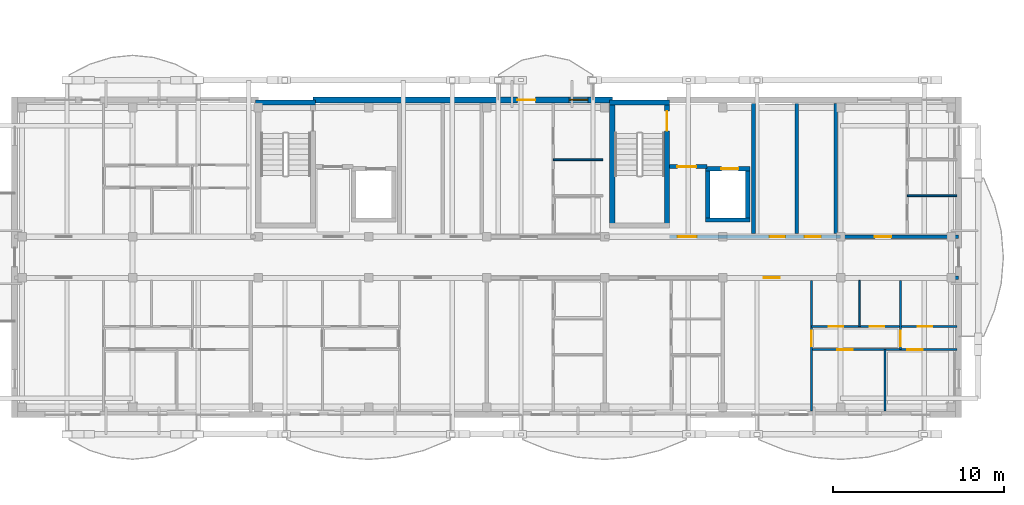
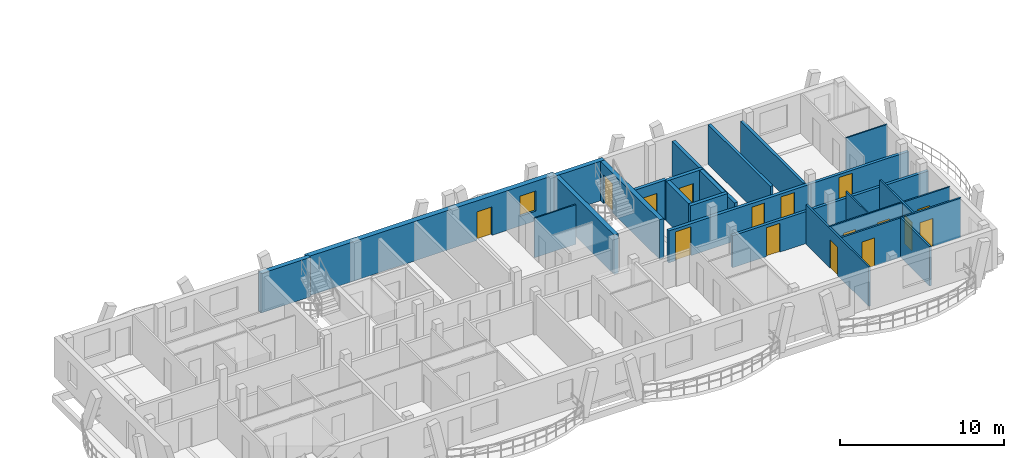
# One storey, part 32 of 50: 24 walls, 16 doors, 1 window, 17 openings.
"""IFC4 building model written with IfcOpenShell, lengths in metres."""

from ifc_helpers import new_model, si_unit, direction, frame, frame_2d, origin, origin_with_axes, place, context, subcontext, project, spatial, rectangle, extrude, material, layer, layer_set, type_object, element, fill, save


model = new_model("IFC4")

# Units and contexts
model_context = context("Model", 3, precision=1e-05, world=origin(), true_north=direction((0.0, 1.0)))
body_context = subcontext(model_context, "Body", "Model", "MODEL_VIEW")
ifc_project = project(units=[si_unit("LENGTHUNIT", "METRE"), si_unit("AREAUNIT", "SQUARE_METRE"), si_unit("VOLUMEUNIT", "CUBIC_METRE"), si_unit("PLANEANGLEUNIT", "RADIAN"), si_unit("MASSUNIT", "GRAM", prefix="KILO")], contexts=[model_context])

# Site, building, storey
site_placement = place(None, origin())
site = spatial("IfcSite", under=ifc_project, at=site_placement, CompositionType="ELEMENT")
building_placement = place(site_placement, origin())
building = spatial("IfcBuilding", under=site, at=building_placement, Name="Zavelmont Quarter", CompositionType="ELEMENT")
storey_placement = place(building_placement, frame((0.0, 0.0, 11.199951171875)))
storey = spatial("IfcBuildingStorey", under=building, at=storey_placement, Name="L03", CompositionType="ELEMENT", Elevation=11.199951171875)

# Wall, openings, door, window
ifc_material_1 = material(Name="Natural Belgian limestone", Category="masonry")
ifc_layer_1 = layer(ifc_material_1, 0.360107421875)
ifc_layer_set_1 = layer_set([ifc_layer_1], Name="Natural Belgian limestone")
wall_type_1 = type_object("IfcWallType", Name="EW02", PredefinedType="STANDARD", material=ifc_layer_set_1)
wall_1_placement = place(storey_placement, frame((130.25, 18.39990234375, 0.0), z_axis=(0.0, 0.0, 1.0), x_axis=(1.0, 0.0, 0.0)))
wall_1 = element("IfcWall", 1, at=wall_1_placement, inside=storey, type_object=wall_type_1, Name="L03 exterior limestone wall EW02", PredefinedType="STANDARD", context=body_context, shape_type="SweptSolid", body=[
    extrude(rectangle(XDim=17.5, YDim=0.360107421875, at=frame_2d((8.75, 0.0))), origin(), (0.0, 0.0, 1.0), 2.93994140625),
])
opening_1_placement = place(wall_1_placement, frame((11.94921875, 0.0, 0.0)))
opening_1 = element("IfcOpeningElement", 2, at=opening_1_placement, cuts=wall_1, Name="Opening DR04A", PredefinedType="OPENING", context=body_context, shape_type="SweptSolid", body=[
    extrude(rectangle(XDim=1.050048828125, YDim=2.1201171875, at=frame_2d((0.52490234375, 1.06005859375))), frame((0.0, 0.19189453125, 0.0), z_axis=(0.0, -1.0, 0.0), x_axis=(1.0, 0.0, 0.0)), (0.0, 0.0, 1.0), 0.384033203125),
])
opening_2_placement = place(wall_1_placement, frame((14.969970703125, 0.0, 0.719970703125)))
opening_2 = element("IfcOpeningElement", 3, at=opening_2_placement, cuts=wall_1, Name="Opening WN09", PredefinedType="OPENING", context=body_context, shape_type="SweptSolid", body=[
    extrude(rectangle(XDim=1.10009765625, YDim=1.5, at=frame_2d((0.550048828125, 0.75))), frame((0.0, 0.19189453125, 0.0), z_axis=(0.0, -1.0, 0.0), x_axis=(1.0, 0.0, 0.0)), (0.0, 0.0, 1.0), 0.384033203125),
])
ifc_material_2 = material(Name="Thermally broken aluminium and double safety glass", Category="aluminium")
door_type_1 = type_object("IfcDoorType", Name="DR04A", OperationType="NOTDEFINED", PredefinedType="DOOR", material=ifc_material_2)
door_1_placement = place(opening_1_placement, frame((1.050048828125, 0.0, 0.0), z_axis=(0.0, 0.0, 1.0), x_axis=(-1.0, 0.0, 0.0)))
door_1 = element("IfcDoor", 4, at=door_1_placement, inside=storey, type_object=door_type_1, Name="Block D L03 glazed balcony door", OperationType="SINGLE_SWING_LEFT", OverallHeight=2.1201171875, OverallWidth=1.050048828125, PredefinedType="DOOR", context=body_context, shape_type="SweptSolid", body=[
    extrude(rectangle(XDim=1.050048828125, YDim=2.1201171875, at=frame_2d((0.52490234375, 1.06005859375))), frame((0.0, 0.02490234375, 0.0), z_axis=(0.0, -1.0, 0.0), x_axis=(1.0, 0.0, 0.0)), (0.0, 0.0, 1.0), 0.050048828125),
])
fill(opening_1, door_1)
ifc_material_3 = material(Name="Double low-E insulated glazing in thermally broken aluminium frame", Category="aluminium")
window_type = type_object("IfcWindowType", Name="WN09", PartitioningType="SINGLE_PANEL", PredefinedType="WINDOW", material=ifc_material_3)
window_placement = place(opening_2_placement, origin_with_axes())
window = element("IfcWindow", 5, at=window_placement, inside=storey, type_object=window_type, Name="L03 window WN09", OverallHeight=1.5, OverallWidth=1.10009765625, PartitioningType="SINGLE_PANEL", PredefinedType="WINDOW", context=body_context, shape_type="SweptSolid", body=[
    extrude(rectangle(XDim=1.10009765625, YDim=1.5, at=frame_2d((0.550048828125, 0.75))), frame((0.0, 0.030029296875, 0.0), z_axis=(0.0, -1.0, 0.0), x_axis=(1.0, 0.0, 0.0)), (0.0, 0.0, 1.0), 0.06005859375),
])
fill(opening_2, window)

# Walls
ifc_material_4 = material(Name="Calcium-silicate blockwork and acoustic plaster", Category="masonry")
ifc_layer_2 = layer(ifc_material_4, 0.199951171875)
ifc_layer_set_2 = layer_set([ifc_layer_2], Name="Calcium-silicate blockwork and acoustic plaster")
wall_type_2 = type_object("IfcWallType", Name="IW01", PredefinedType="PARTITIONING", material=ifc_layer_set_2)
wall_2_placement = place(storey_placement, frame((158.52490234375, 10.60009765625, 0.0), z_axis=(0.0, 0.0, 1.0), x_axis=(0.0, 1.0, 0.0)))
element("IfcWall", 6, at=wall_2_placement, inside=storey, type_object=wall_type_2, Name="L03 Service riser divider wall IW01", PredefinedType="PARTITIONING", context=body_context, shape_type="SweptSolid", body=[
    extrude(rectangle(XDim=7.599853515625, YDim=0.199951171875, at=frame_2d((3.7998046875, 0.0))), origin(), (0.0, 0.0, 1.0), 2.93994140625),
])
wall_3_placement = place(storey_placement, frame((160.820068359375, 10.60009765625, 0.0), z_axis=(0.0, 0.0, 1.0), x_axis=(0.0, 1.0, 0.0)))
element("IfcWall", 7, at=wall_3_placement, inside=storey, type_object=wall_type_2, Name="L03 Core service end wall IW01", PredefinedType="PARTITIONING", context=body_context, shape_type="SweptSolid", body=[
    extrude(rectangle(XDim=7.599853515625, YDim=0.199951171875, at=frame_2d((3.7998046875, 0.0))), origin(), (0.0, 0.0, 1.0), 2.380126953125),
])

# Wall, opening, door
wall_4_placement = place(storey_placement, frame((154.199951171875, 8.0, 0.0), z_axis=(0.0, 0.0, 1.0), x_axis=(1.0, 0.0, 0.0)))
wall_4 = element("IfcWall", 8, at=wall_4_placement, inside=storey, type_object=wall_type_2, Name="L03 Corridor compartment wall IW01", PredefinedType="PARTITIONING", context=body_context, shape_type="SweptSolid", body=[
    extrude(rectangle(XDim=13.800048828125, YDim=0.199951171875, at=frame_2d((6.89990234375, 0.0))), origin(), (0.0, 0.0, 1.0), 2.380126953125),
])
opening_3_placement = place(wall_4_placement, frame((2.39990234375, 0.0, 0.0)))
opening_3 = element("IfcOpeningElement", 9, at=opening_3_placement, cuts=wall_4, Name="Opening DR02", PredefinedType="OPENING", context=body_context, shape_type="SweptSolid", body=[
    extrude(rectangle(XDim=0.949951171875, YDim=2.14990234375, at=frame_2d((0.47509765625, 1.074951171875))), frame((0.0, 0.11181640625, 0.0), z_axis=(0.0, -1.0, 0.0), x_axis=(1.0, 0.0, 0.0)), (0.0, 0.0, 1.0), 0.223876953125),
])
ifc_material_5 = material(Name="Solid-core oak fire leaf in steel frame", Category="steel")
door_type_2 = type_object("IfcDoorType", Name="DR02", OperationType="NOTDEFINED", PredefinedType="DOOR", material=ifc_material_5)
door_2_placement = place(opening_3_placement, frame((0.949951171875, 0.0, 0.0), z_axis=(0.0, 0.0, 1.0), x_axis=(-1.0, 0.0, 0.0)))
door_2 = element("IfcDoor", 10, at=door_2_placement, inside=storey, type_object=door_type_2, Name="L03 door DR02", OperationType="SINGLE_SWING_RIGHT", OverallHeight=2.14990234375, OverallWidth=0.949951171875, PredefinedType="DOOR", context=body_context, shape_type="SweptSolid", body=[
    extrude(rectangle(XDim=0.949951171875, YDim=2.14990234375, at=frame_2d((0.47509765625, 1.074951171875))), frame((0.0, 0.02490234375, 0.0), z_axis=(0.0, -1.0, 0.0), x_axis=(1.0, 0.0, 0.0)), (0.0, 0.0, 1.0), 0.050048828125),
])
fill(opening_3, door_2)

wall_5_placement = place(storey_placement, frame((161.10009765625, 10.39990234375, 0.0), z_axis=(0.0, 0.0, 1.0), x_axis=(1.0, 0.0, 0.0)))
wall_5 = element("IfcWall", 11, at=wall_5_placement, inside=storey, type_object=wall_type_2, Name="L03 Corridor compartment wall IW01", PredefinedType="PARTITIONING", context=body_context, shape_type="SweptSolid", body=[
    extrude(rectangle(XDim=6.89990234375, YDim=0.199951171875, at=frame_2d((3.449951171875, 0.0))), origin(), (0.0, 0.0, 1.0), 2.380126953125),
])
opening_4_placement = place(wall_5_placement, frame((2.0, 0.0, 0.0)))
opening_4 = element("IfcOpeningElement", 12, at=opening_4_placement, cuts=wall_5, Name="Opening DR02", PredefinedType="OPENING", context=body_context, shape_type="SweptSolid", body=[
    extrude(rectangle(XDim=0.949951171875, YDim=2.14990234375, at=frame_2d((0.47509765625, 1.074951171875))), frame((0.0, 0.11181640625, 0.0), z_axis=(0.0, -1.0, 0.0), x_axis=(1.0, 0.0, 0.0)), (0.0, 0.0, 1.0), 0.223876953125),
])
door_3_placement = place(opening_4_placement, origin_with_axes())
door_3 = element("IfcDoor", 13, at=door_3_placement, inside=storey, type_object=door_type_2, Name="L03 door DR02", OperationType="SINGLE_SWING_RIGHT", OverallHeight=2.14990234375, OverallWidth=0.949951171875, PredefinedType="DOOR", context=body_context, shape_type="SweptSolid", body=[
    extrude(rectangle(XDim=0.949951171875, YDim=2.14990234375, at=frame_2d((0.47509765625, 1.074951171875))), frame((0.0, 0.02490234375, 0.0), z_axis=(0.0, -1.0, 0.0), x_axis=(1.0, 0.0, 0.0)), (0.0, 0.0, 1.0), 0.050048828125),
])
fill(opening_4, door_3)

# Wall
ifc_material_6 = material(Name="Reinforced masonry fire compartment wall", Category="masonry")
ifc_layer_3 = layer(ifc_material_6, 0.22509765625)
ifc_layer_set_3 = layer_set([ifc_layer_3], Name="Reinforced masonry fire compartment wall")
wall_type_3 = type_object("IfcWallType", Name="IW02", PredefinedType="PARTITIONING", material=ifc_layer_set_3)
wall_6_placement = place(storey_placement, frame((156.010009765625, 10.60009765625, 0.0), z_axis=(0.0, 0.0, 1.0), x_axis=(0.0, 1.0, 0.0)))
element("IfcWall", 14, at=wall_6_placement, inside=storey, type_object=wall_type_3, Name="L03 Firefighting lobby enclosure wall IW02", PredefinedType="PARTITIONING", context=body_context, shape_type="SweptSolid", body=[
    extrude(rectangle(XDim=7.599853515625, YDim=0.22509765625, at=frame_2d((3.7998046875, 0.0))), origin(), (0.0, 0.0, 1.0), 2.590087890625),
])

# Wall, opening, door
wall_7_placement = place(storey_placement, frame((151.10009765625, 14.5, 0.0), z_axis=(0.0, 0.0, 1.0), x_axis=(1.0, 0.0, 0.0)))
wall_7 = element("IfcWall", 15, at=wall_7_placement, inside=storey, type_object=wall_type_3, Name="L03 Firefighting lobby threshold wall IW02", PredefinedType="PARTITIONING", context=body_context, shape_type="SweptSolid", body=[
    extrude(rectangle(XDim=2.199951171875, YDim=0.22509765625, at=frame_2d((1.10009765625, 0.0))), origin(), (0.0, 0.0, 1.0), 2.93994140625),
])
opening_5_placement = place(wall_7_placement, frame((0.449951171875, 0.0, 0.0)))
opening_5 = element("IfcOpeningElement", 16, at=opening_5_placement, cuts=wall_7, Name="Opening DR10", PredefinedType="OPENING", context=body_context, shape_type="SweptSolid", body=[
    extrude(rectangle(XDim=1.10009765625, YDim=2.14990234375, at=frame_2d((0.550048828125, 1.074951171875))), frame((0.0, 0.12451171875, 0.0), z_axis=(0.0, -1.0, 0.0), x_axis=(1.0, 0.0, 0.0)), (0.0, 0.0, 1.0), 0.2490234375),
])
ifc_material_7 = material(Name="Painted steel lobby fire door", Category="steel")
door_type_3 = type_object("IfcDoorType", Name="DR10", OperationType="NOTDEFINED", PredefinedType="DOOR", material=ifc_material_7)
door_4_placement = place(opening_5_placement, origin_with_axes())
door_4 = element("IfcDoor", 17, at=door_4_placement, inside=storey, type_object=door_type_3, Name="Firefighting lobby fire door", OperationType="SINGLE_SWING_RIGHT", OverallHeight=2.14990234375, OverallWidth=1.10009765625, PredefinedType="DOOR", context=body_context, shape_type="SweptSolid", body=[
    extrude(rectangle(XDim=1.10009765625, YDim=2.14990234375, at=frame_2d((0.550048828125, 1.074951171875))), frame((0.0, 0.02490234375, 0.0), z_axis=(0.0, -1.0, 0.0), x_axis=(1.0, 0.0, 0.0)), (0.0, 0.0, 1.0), 0.050048828125),
])
fill(opening_5, door_4)

# Wall, openings, doors
wall_8_placement = place(storey_placement, frame((151.10009765625, 10.39990234375, 0.0), z_axis=(0.0, 0.0, 1.0), x_axis=(1.0, 0.0, 0.0)))
wall_8 = element("IfcWall", 18, at=wall_8_placement, inside=storey, type_object=wall_type_3, Name="L03 Core corridor fire wall IW02", PredefinedType="PARTITIONING", context=body_context, shape_type="SweptSolid", body=[
    extrude(rectangle(XDim=10.0, YDim=0.22509765625, at=frame_2d((5.0, 0.0))), origin(), (0.0, 0.0, 1.0), 2.380126953125),
])
opening_6_placement = place(wall_8_placement, frame((0.47509765625, 0.0, 0.0)))
opening_6 = element("IfcOpeningElement", 19, at=opening_6_placement, cuts=wall_8, Name="Opening DR10", PredefinedType="OPENING", context=body_context, shape_type="SweptSolid", body=[
    extrude(rectangle(XDim=1.10009765625, YDim=2.14990234375, at=frame_2d((0.550048828125, 1.074951171875))), frame((0.0, 0.12451171875, 0.0), z_axis=(0.0, -1.0, 0.0), x_axis=(1.0, 0.0, 0.0)), (0.0, 0.0, 1.0), 0.2490234375),
])
opening_7_placement = place(wall_8_placement, frame((5.85009765625, 0.0, 0.0)))
opening_7 = element("IfcOpeningElement", 20, at=opening_7_placement, cuts=wall_8, Name="Opening DR11", PredefinedType="OPENING", context=body_context, shape_type="SweptSolid", body=[
    extrude(rectangle(XDim=0.89990234375, YDim=2.10009765625, at=frame_2d((0.449951171875, 1.050048828125))), frame((0.0, 0.12451171875, 0.0), z_axis=(0.0, -1.0, 0.0), x_axis=(1.0, 0.0, 0.0)), (0.0, 0.0, 1.0), 0.2490234375),
])
opening_8_placement = place(wall_8_placement, frame((7.89990234375, 0.0, 0.0)))
opening_8 = element("IfcOpeningElement", 21, at=opening_8_placement, cuts=wall_8, Name="Opening DR02", PredefinedType="OPENING", context=body_context, shape_type="SweptSolid", body=[
    extrude(rectangle(XDim=0.949951171875, YDim=2.14990234375, at=frame_2d((0.47509765625, 1.074951171875))), frame((0.0, 0.12451171875, 0.0), z_axis=(0.0, -1.0, 0.0), x_axis=(1.0, 0.0, 0.0)), (0.0, 0.0, 1.0), 0.2490234375),
])
door_5_placement = place(opening_8_placement, frame((0.949951171875, 0.0, 0.0), z_axis=(0.0, 0.0, 1.0), x_axis=(-1.0, 0.0, 0.0)))
door_5 = element("IfcDoor", 22, at=door_5_placement, inside=storey, type_object=door_type_2, Name="Auxiliary store corridor door", OperationType="SINGLE_SWING_RIGHT", OverallHeight=2.14990234375, OverallWidth=0.949951171875, PredefinedType="DOOR", context=body_context, shape_type="SweptSolid", body=[
    extrude(rectangle(XDim=0.949951171875, YDim=2.14990234375, at=frame_2d((0.47509765625, 1.074951171875))), frame((0.0, 0.02490234375, 0.0), z_axis=(0.0, -1.0, 0.0), x_axis=(1.0, 0.0, 0.0)), (0.0, 0.0, 1.0), 0.050048828125),
])
fill(opening_8, door_5)
door_6_placement = place(opening_6_placement, origin_with_axes())
door_6 = element("IfcDoor", 23, at=door_6_placement, inside=storey, type_object=door_type_3, Name="Core vestibule fire door", OperationType="SINGLE_SWING_LEFT", OverallHeight=2.14990234375, OverallWidth=1.10009765625, PredefinedType="DOOR", context=body_context, shape_type="SweptSolid", body=[
    extrude(rectangle(XDim=1.10009765625, YDim=2.14990234375, at=frame_2d((0.550048828125, 1.074951171875))), frame((0.0, 0.02490234375, 0.0), z_axis=(0.0, -1.0, 0.0), x_axis=(1.0, 0.0, 0.0)), (0.0, 0.0, 1.0), 0.050048828125),
])
fill(opening_6, door_6)
ifc_material_8 = material(Name="Painted steel service-riser fire door", Category="steel")
door_type_4 = type_object("IfcDoorType", Name="DR11", OperationType="NOTDEFINED", PredefinedType="DOOR", material=ifc_material_8)
door_7_placement = place(opening_7_placement, frame((0.89990234375, 0.0, 0.0), z_axis=(0.0, 0.0, 1.0), x_axis=(-1.0, 0.0, 0.0)))
door_7 = element("IfcDoor", 24, at=door_7_placement, inside=storey, type_object=door_type_4, Name="Service riser fire door", OperationType="SINGLE_SWING_LEFT", OverallHeight=2.10009765625, OverallWidth=0.89990234375, PredefinedType="DOOR", context=body_context, shape_type="SweptSolid", body=[
    extrude(rectangle(XDim=0.89990234375, YDim=2.10009765625, at=frame_2d((0.449951171875, 1.050048828125))), frame((0.0, 0.02490234375, 0.0), z_axis=(0.0, -1.0, 0.0), x_axis=(1.0, 0.0, 0.0)), (0.0, 0.0, 1.0), 0.050048828125),
])
fill(opening_7, door_7)

# Wall, opening, door
ifc_material_9 = material(Name="Double gypsum board on acoustic steel stud", Category="steel")
ifc_layer_4 = layer(ifc_material_9, 0.125)
ifc_layer_set_4 = layer_set([ifc_layer_4], Name="Double gypsum board on acoustic steel stud")
wall_type_4 = type_object("IfcWallType", Name="IW03", PredefinedType="PARTITIONING", material=ifc_layer_set_4)
wall_9_placement = place(storey_placement, frame((159.39990234375, 7.85009765625, 0.0), z_axis=(0.0, 0.0, 1.0), x_axis=(0.0, -1.0, 0.0)))
wall_9 = element("IfcWall", 25, at=wall_9_placement, inside=storey, type_object=wall_type_4, Name="L03 Partition IW03", PredefinedType="PARTITIONING", context=body_context, shape_type="SweptSolid", body=[
    extrude(rectangle(XDim=7.650146484375, YDim=0.125, at=frame_2d((3.8251953125, 0.0))), origin(), (0.0, 0.0, 1.0), 2.93994140625),
])
opening_9_placement = place(wall_9_placement, frame((2.949951171875, 0.0, 0.0)))
opening_9 = element("IfcOpeningElement", 26, at=opening_9_placement, cuts=wall_9, Name="Opening DR05", PredefinedType="OPENING", context=body_context, shape_type="SweptSolid", body=[
    extrude(rectangle(XDim=0.89990234375, YDim=2.10009765625, at=frame_2d((0.449951171875, 1.050048828125))), frame((0.0, 0.074462890625, 0.0), z_axis=(0.0, -1.0, 0.0), x_axis=(1.0, 0.0, 0.0)), (0.0, 0.0, 1.0), 0.14892578125),
])
ifc_material_10 = material(Name="Engineered oak flush interior door")
door_type_5 = type_object("IfcDoorType", Name="DR05", OperationType="NOTDEFINED", PredefinedType="DOOR", material=ifc_material_10)
door_8_placement = place(opening_9_placement, origin_with_axes())
door_8 = element("IfcDoor", 27, at=door_8_placement, inside=storey, type_object=door_type_5, Name="L03 door DR05", OperationType="SINGLE_SWING_RIGHT", OverallHeight=2.10009765625, OverallWidth=0.89990234375, PredefinedType="DOOR", context=body_context, shape_type="SweptSolid", body=[
    extrude(rectangle(XDim=0.89990234375, YDim=2.10009765625, at=frame_2d((0.449951171875, 1.050048828125))), frame((0.0, 0.02490234375, 0.0), z_axis=(0.0, -1.0, 0.0), x_axis=(1.0, 0.0, 0.0)), (0.0, 0.0, 1.0), 0.050048828125),
])
fill(opening_9, door_8)

wall_10_placement = place(storey_placement, frame((164.60009765625, 7.85009765625, 0.0), z_axis=(0.0, 0.0, 1.0), x_axis=(0.0, -1.0, 0.0)))
wall_10 = element("IfcWall", 28, at=wall_10_placement, inside=storey, type_object=wall_type_4, Name="L03 Partition IW03", PredefinedType="PARTITIONING", context=body_context, shape_type="SweptSolid", body=[
    extrude(rectangle(XDim=4.050048828125, YDim=0.125, at=frame_2d((2.02490234375, 0.0))), origin(), (0.0, 0.0, 1.0), 2.93994140625),
])
opening_10_placement = place(wall_10_placement, frame((2.949951171875, 0.0, 0.0)))
opening_10 = element("IfcOpeningElement", 29, at=opening_10_placement, cuts=wall_10, Name="Opening DR05", PredefinedType="OPENING", context=body_context, shape_type="SweptSolid", body=[
    extrude(rectangle(XDim=0.89990234375, YDim=2.10009765625, at=frame_2d((0.449951171875, 1.050048828125))), frame((0.0, 0.074462890625, 0.0), z_axis=(0.0, -1.0, 0.0), x_axis=(1.0, 0.0, 0.0)), (0.0, 0.0, 1.0), 0.14892578125),
])
door_9_placement = place(opening_10_placement, frame((0.89990234375, 0.0, 0.0), z_axis=(0.0, 0.0, 1.0), x_axis=(-1.0, 0.0, 0.0)))
door_9 = element("IfcDoor", 30, at=door_9_placement, inside=storey, type_object=door_type_5, Name="L03 door DR05", OperationType="SINGLE_SWING_LEFT", OverallHeight=2.10009765625, OverallWidth=0.89990234375, PredefinedType="DOOR", context=body_context, shape_type="SweptSolid", body=[
    extrude(rectangle(XDim=0.89990234375, YDim=2.10009765625, at=frame_2d((0.449951171875, 1.050048828125))), frame((0.0, 0.02490234375, 0.0), z_axis=(0.0, -1.0, 0.0), x_axis=(1.0, 0.0, 0.0)), (0.0, 0.0, 1.0), 0.050048828125),
])
fill(opening_10, door_9)

# Wall
wall_11_placement = place(storey_placement, frame((163.699951171875, 3.800048828125, 0.0), z_axis=(0.0, 0.0, 1.0), x_axis=(0.0, -1.0, 0.0)))
element("IfcWall", 31, at=wall_11_placement, inside=storey, type_object=wall_type_4, Name="L03 Partition IW03", PredefinedType="PARTITIONING", context=body_context, shape_type="SweptSolid", body=[
    extrude(rectangle(XDim=3.60009765625, YDim=0.125, at=frame_2d((1.800048828125, 0.0))), origin(), (0.0, 0.0, 1.0), 2.93994140625),
])

# Wall, openings, doors
wall_12_placement = place(storey_placement, frame((159.39990234375, 3.800048828125, 0.0), z_axis=(0.0, 0.0, 1.0), x_axis=(1.0, 0.0, 0.0)))
wall_12 = element("IfcWall", 32, at=wall_12_placement, inside=storey, type_object=wall_type_4, Name="L03 Partition IW03", PredefinedType="PARTITIONING", context=body_context, shape_type="SweptSolid", body=[
    extrude(rectangle(XDim=8.5, YDim=0.125, at=frame_2d((4.25, 0.0))), origin(), (0.0, 0.0, 1.0), 2.93994140625),
])
opening_11_placement = place(wall_12_placement, frame((1.5, 0.0, 0.0)))
opening_11 = element("IfcOpeningElement", 33, at=opening_11_placement, cuts=wall_12, Name="Opening DR05", PredefinedType="OPENING", context=body_context, shape_type="SweptSolid", body=[
    extrude(rectangle(XDim=0.89990234375, YDim=2.10009765625, at=frame_2d((0.449951171875, 1.050048828125))), frame((0.0, 0.074462890625, 0.0), z_axis=(0.0, -1.0, 0.0), x_axis=(1.0, 0.0, 0.0)), (0.0, 0.0, 1.0), 0.14892578125),
])
opening_12_placement = place(wall_12_placement, frame((5.60009765625, 0.0, 0.0)))
opening_12 = element("IfcOpeningElement", 34, at=opening_12_placement, cuts=wall_12, Name="Opening DR05", PredefinedType="OPENING", context=body_context, shape_type="SweptSolid", body=[
    extrude(rectangle(XDim=0.89990234375, YDim=2.10009765625, at=frame_2d((0.449951171875, 1.050048828125))), frame((0.0, 0.074462890625, 0.0), z_axis=(0.0, -1.0, 0.0), x_axis=(1.0, 0.0, 0.0)), (0.0, 0.0, 1.0), 0.14892578125),
])
door_10_placement = place(opening_11_placement, frame((0.89990234375, 0.0, 0.0), z_axis=(0.0, 0.0, 1.0), x_axis=(-1.0, 0.0, 0.0)))
door_10 = element("IfcDoor", 35, at=door_10_placement, inside=storey, type_object=door_type_5, Name="L03 door DR05", OperationType="SINGLE_SWING_LEFT", OverallHeight=2.10009765625, OverallWidth=0.89990234375, PredefinedType="DOOR", context=body_context, shape_type="SweptSolid", body=[
    extrude(rectangle(XDim=0.89990234375, YDim=2.10009765625, at=frame_2d((0.449951171875, 1.050048828125))), frame((0.0, 0.02490234375, 0.0), z_axis=(0.0, -1.0, 0.0), x_axis=(1.0, 0.0, 0.0)), (0.0, 0.0, 1.0), 0.050048828125),
])
fill(opening_11, door_10)
door_11_placement = place(opening_12_placement, origin_with_axes())
door_11 = element("IfcDoor", 36, at=door_11_placement, inside=storey, type_object=door_type_5, Name="L03 door DR05", OperationType="SINGLE_SWING_RIGHT", OverallHeight=2.10009765625, OverallWidth=0.89990234375, PredefinedType="DOOR", context=body_context, shape_type="SweptSolid", body=[
    extrude(rectangle(XDim=0.89990234375, YDim=2.10009765625, at=frame_2d((0.449951171875, 1.050048828125))), frame((0.0, 0.02490234375, 0.0), z_axis=(0.0, -1.0, 0.0), x_axis=(1.0, 0.0, 0.0)), (0.0, 0.0, 1.0), 0.050048828125),
])
fill(opening_12, door_11)

# Wall
ifc_material_11 = material(Name="Moisture-resistant gypsum board on steel stud", Category="steel")
ifc_layer_5 = layer(ifc_material_11, 0.10009765625)
ifc_layer_set_5 = layer_set([ifc_layer_5], Name="Moisture-resistant gypsum board on steel stud")
wall_type_5 = type_object("IfcWallType", Name="IW04", PredefinedType="PARTITIONING", material=ifc_layer_set_5)
wall_13_placement = place(storey_placement, frame((162.199951171875, 7.85009765625, 0.0), z_axis=(0.0, 0.0, 1.0), x_axis=(0.0, -1.0, 0.0)))
element("IfcWall", 37, at=wall_13_placement, inside=storey, type_object=wall_type_5, Name="L03 Partition IW04", PredefinedType="PARTITIONING", context=body_context, shape_type="SweptSolid", body=[
    extrude(rectangle(XDim=2.7001953125, YDim=0.10009765625, at=frame_2d((1.35009765625, 0.0))), origin(), (0.0, 0.0, 1.0), 2.93994140625),
])

# Wall, openings, doors
wall_14_placement = place(storey_placement, frame((159.39990234375, 5.14990234375, 0.0), z_axis=(0.0, 0.0, 1.0), x_axis=(1.0, 0.0, 0.0)))
wall_14 = element("IfcWall", 38, at=wall_14_placement, inside=storey, type_object=wall_type_5, Name="L03 Partition IW04", PredefinedType="PARTITIONING", context=body_context, shape_type="SweptSolid", body=[
    extrude(rectangle(XDim=8.5, YDim=0.10009765625, at=frame_2d((4.25, 0.0))), origin(), (0.0, 0.0, 1.0), 2.93994140625),
])
opening_13_placement = place(wall_14_placement, frame((1.0, 0.0, 0.0)))
opening_13 = element("IfcOpeningElement", 39, at=opening_13_placement, cuts=wall_14, Name="Opening DR16", PredefinedType="OPENING", context=body_context, shape_type="SweptSolid", body=[
    extrude(rectangle(XDim=0.85009765625, YDim=2.10009765625, at=frame_2d((0.425048828125, 1.050048828125))), frame((0.0, 0.06201171875, 0.0), z_axis=(0.0, -1.0, 0.0), x_axis=(1.0, 0.0, 0.0)), (0.0, 0.0, 1.0), 0.1240234375),
])
opening_14_placement = place(wall_14_placement, frame((3.39990234375, 0.0, 0.0)))
opening_14 = element("IfcOpeningElement", 40, at=opening_14_placement, cuts=wall_14, Name="Opening DR06", PredefinedType="OPENING", context=body_context, shape_type="SweptSolid", body=[
    extrude(rectangle(XDim=0.85009765625, YDim=2.050048828125, at=frame_2d((0.425048828125, 1.02490234375))), frame((0.0, 0.06201171875, 0.0), z_axis=(0.0, -1.0, 0.0), x_axis=(1.0, 0.0, 0.0)), (0.0, 0.0, 1.0), 0.1240234375),
])
opening_15_placement = place(wall_14_placement, frame((6.199951171875, 0.0, 0.0)))
opening_15 = element("IfcOpeningElement", 41, at=opening_15_placement, cuts=wall_14, Name="Opening DR06", PredefinedType="OPENING", context=body_context, shape_type="SweptSolid", body=[
    extrude(rectangle(XDim=0.85009765625, YDim=2.050048828125, at=frame_2d((0.425048828125, 1.02490234375))), frame((0.0, 0.06201171875, 0.0), z_axis=(0.0, -1.0, 0.0), x_axis=(1.0, 0.0, 0.0)), (0.0, 0.0, 1.0), 0.1240234375),
])
ifc_material_12 = material(Name="Moisture-resistant painted wet-room door")
door_type_6 = type_object("IfcDoorType", Name="DR06", OperationType="NOTDEFINED", PredefinedType="DOOR", material=ifc_material_12)
door_12_placement = place(opening_14_placement, frame((0.85009765625, 0.0, 0.0), z_axis=(0.0, 0.0, 1.0), x_axis=(-1.0, 0.0, 0.0)))
door_12 = element("IfcDoor", 42, at=door_12_placement, inside=storey, type_object=door_type_6, Name="L03 door DR06", OperationType="SINGLE_SWING_LEFT", OverallHeight=2.050048828125, OverallWidth=0.85009765625, PredefinedType="DOOR", context=body_context, shape_type="SweptSolid", body=[
    extrude(rectangle(XDim=0.85009765625, YDim=2.050048828125, at=frame_2d((0.425048828125, 1.02490234375))), frame((0.0, 0.02490234375, 0.0), z_axis=(0.0, -1.0, 0.0), x_axis=(1.0, 0.0, 0.0)), (0.0, 0.0, 1.0), 0.050048828125),
])
fill(opening_14, door_12)
door_13_placement = place(opening_15_placement, origin_with_axes())
door_13 = element("IfcDoor", 43, at=door_13_placement, inside=storey, type_object=door_type_6, Name="L03 door DR06", OperationType="SINGLE_SWING_RIGHT", OverallHeight=2.050048828125, OverallWidth=0.85009765625, PredefinedType="DOOR", context=body_context, shape_type="SweptSolid", body=[
    extrude(rectangle(XDim=0.85009765625, YDim=2.050048828125, at=frame_2d((0.425048828125, 1.02490234375))), frame((0.0, 0.02490234375, 0.0), z_axis=(0.0, -1.0, 0.0), x_axis=(1.0, 0.0, 0.0)), (0.0, 0.0, 1.0), 0.050048828125),
])
fill(opening_15, door_13)
door_type_7 = type_object("IfcDoorType", Name="DR16", OperationType="NOTDEFINED", PredefinedType="DOOR", material=ifc_material_10)
door_14_placement = place(opening_13_placement, origin_with_axes())
door_14 = element("IfcDoor", 44, at=door_14_placement, inside=storey, type_object=door_type_7, Name="L03 door DR16", OperationType="SINGLE_SWING_RIGHT", OverallHeight=2.10009765625, OverallWidth=0.85009765625, PredefinedType="DOOR", context=body_context, shape_type="SweptSolid", body=[
    extrude(rectangle(XDim=0.85009765625, YDim=2.10009765625, at=frame_2d((0.425048828125, 1.050048828125))), frame((0.0, 0.02490234375, 0.0), z_axis=(0.0, -1.0, 0.0), x_axis=(1.0, 0.0, 0.0)), (0.0, 0.0, 1.0), 0.050048828125),
])
fill(opening_13, door_14)

# Walls
for number, where, z_axis, x_axis, name in (
    (45, (144.300048828125, 14.89990234375, 0.0), (0.0, 0.0, 1.0), (1.0, 0.0, 0.0), "L03 Partition IW04"),
    (46, (165.0, 12.800048828125, 0.0), (0.0, 0.0, 1.0), (1.0, 0.0, 0.0), "L03 Partition IW04"),
):
    element("IfcWall", number, at=place(storey_placement, frame(where, z_axis=z_axis, x_axis=x_axis)), inside=storey, type_object=wall_type_5, Name=name, PredefinedType="PARTITIONING", context=body_context, shape_type="SweptSolid", body=[
        extrude(rectangle(XDim=2.89990234375, YDim=0.10009765625, at=frame_2d((1.449951171875, 0.0))), origin(), (0.0, 0.0, 1.0), 2.93994140625),
    ])
ifc_material_13 = material(Name="Concrete C40/50", Category="concrete")
ifc_layer_6 = layer(ifc_material_13, 0.300048828125)
ifc_layer_set_6 = layer_set([ifc_layer_6], Name="Concrete C40/50")
wall_type_6 = type_object("IfcWallType", Name="SW01", PredefinedType="SHEAR", material=ifc_layer_set_6)
wall_15_placement = place(storey_placement, frame((147.75, 10.89990234375, 0.0), z_axis=(0.0, 0.0, 1.0), x_axis=(0.0, 1.0, 0.0)))
element("IfcWall", 47, at=wall_15_placement, inside=storey, type_object=wall_type_6, Name="L03 ST08 west shear wall SW01", PredefinedType="SHEAR", context=body_context, shape_type="SweptSolid", body=[
    extrude(rectangle(XDim=7.5, YDim=0.300048828125, at=frame_2d((3.75, 0.0))), origin(), (0.0, 0.0, 1.0), 2.93994140625),
])

# Wall, opening, door
wall_16_placement = place(storey_placement, frame((150.949951171875, 10.89990234375, 0.0), z_axis=(0.0, 0.0, 1.0), x_axis=(0.0, 1.0, 0.0)))
wall_16 = element("IfcWall", 48, at=wall_16_placement, inside=storey, type_object=wall_type_6, Name="L03 ST08 lobby shear wall SW01", PredefinedType="SHEAR", context=body_context, shape_type="SweptSolid", body=[
    extrude(rectangle(XDim=7.5, YDim=0.300048828125, at=frame_2d((3.75, 0.0))), origin(), (0.0, 0.0, 1.0), 2.93994140625),
])
opening_16_placement = place(wall_16_placement, frame((5.699951171875, 0.0, 0.0)))
opening_16 = element("IfcOpeningElement", 49, at=opening_16_placement, cuts=wall_16, Name="Opening DR09", PredefinedType="OPENING", context=body_context, shape_type="SweptSolid", body=[
    extrude(rectangle(XDim=1.14990234375, YDim=2.14990234375, at=frame_2d((0.574951171875, 1.074951171875))), frame((0.0, 0.162109375, 0.0), z_axis=(0.0, -1.0, 0.0), x_axis=(1.0, 0.0, 0.0)), (0.0, 0.0, 1.0), 0.323974609375),
])
ifc_material_14 = material(Name="Painted steel stair-core fire door", Category="steel")
door_type_8 = type_object("IfcDoorType", Name="DR09", OperationType="NOTDEFINED", PredefinedType="DOOR", material=ifc_material_14)
door_15_placement = place(opening_16_placement, origin_with_axes())
door_15 = element("IfcDoor", 50, at=door_15_placement, inside=storey, type_object=door_type_8, Name="ST08 protected stair door", OperationType="SINGLE_SWING_LEFT", OverallHeight=2.14990234375, OverallWidth=1.14990234375, PredefinedType="DOOR", context=body_context, shape_type="SweptSolid", body=[
    extrude(rectangle(XDim=1.14990234375, YDim=2.14990234375, at=frame_2d((0.574951171875, 1.074951171875))), frame((0.0, 0.02490234375, 0.0), z_axis=(0.0, -1.0, 0.0), x_axis=(1.0, 0.0, 0.0)), (0.0, 0.0, 1.0), 0.050048828125),
])
fill(opening_16, door_15)

ifc_layer_7 = layer(ifc_material_13, 0.25)
ifc_layer_set_7 = layer_set([ifc_layer_7], Name="Concrete C40/50")
wall_type_7 = type_object("IfcWallType", Name="SW02", PredefinedType="SHEAR", material=ifc_layer_set_7)
wall_17_placement = place(storey_placement, frame((153.199951171875, 14.375, 0.0), z_axis=(0.0, 0.0, 1.0), x_axis=(1.0, 0.0, 0.0)))
wall_17 = element("IfcWall", 51, at=wall_17_placement, inside=storey, type_object=wall_type_7, Name="L03 Lift LF08 landing shaft wall SW02", PredefinedType="SHEAR", context=body_context, shape_type="SweptSolid", body=[
    extrude(rectangle(XDim=2.60009765625, YDim=0.25, at=frame_2d((1.300048828125, 0.0))), origin(), (0.0, 0.0, 1.0), 2.93994140625),
])
opening_17_placement = place(wall_17_placement, frame((0.925048828125, 0.0, 0.0)))
opening_17 = element("IfcOpeningElement", 52, at=opening_17_placement, cuts=wall_17, Name="Opening LD01", PredefinedType="OPENING", context=body_context, shape_type="SweptSolid", body=[
    extrude(rectangle(XDim=1.0, YDim=2.10009765625, at=frame_2d((0.5, 1.050048828125))), frame((0.0, 0.136962890625, 0.0), z_axis=(0.0, -1.0, 0.0), x_axis=(1.0, 0.0, 0.0)), (0.0, 0.0, 1.0), 0.27392578125),
])
ifc_material_15 = material(Name="Brushed stainless-steel automatic sliding landing door", Category="steel")
door_type_9 = type_object("IfcDoorType", Name="LD01", OperationType="SLIDING_TO_LEFT", PredefinedType="DOOR", material=ifc_material_15)
door_16_placement = place(opening_17_placement, origin_with_axes())
door_16 = element("IfcDoor", 53, at=door_16_placement, inside=storey, type_object=door_type_9, Name="Lift LF08 sliding landing door", OperationType="SLIDING_TO_LEFT", OverallHeight=2.10009765625, OverallWidth=1.0, PredefinedType="DOOR", context=body_context, shape_type="SweptSolid", body=[
    extrude(rectangle(XDim=1.0, YDim=2.10009765625, at=frame_2d((0.5, 1.050048828125))), frame((0.0, 0.02490234375, 0.0), z_axis=(0.0, -1.0, 0.0), x_axis=(1.0, 0.0, 0.0)), (0.0, 0.0, 1.0), 0.050048828125),
])
fill(opening_17, door_16)

# Walls
wall_18_placement = place(storey_placement, frame((153.199951171875, 11.375, 0.0), z_axis=(0.0, 0.0, 1.0), x_axis=(1.0, 0.0, 0.0)))
element("IfcWall", 54, at=wall_18_placement, inside=storey, type_object=wall_type_7, Name="L03 Lift LF08 back shaft wall SW02", PredefinedType="SHEAR", context=body_context, shape_type="SweptSolid", body=[
    extrude(rectangle(XDim=2.60009765625, YDim=0.25, at=frame_2d((1.300048828125, 0.0))), origin(), (0.0, 0.0, 1.0), 2.93994140625),
])
for number, where, z_axis, x_axis, name in (
    (55, (153.324951171875, 11.25, 0.0), (0.0, 0.0, 1.0), (0.0, 1.0, 0.0), "L03 Lift LF08 west shaft wall SW02"),
    (56, (155.675048828125, 11.25, 0.0), (0.0, 0.0, 1.0), (0.0, 1.0, 0.0), "L03 Lift LF08 east shaft wall SW02"),
):
    element("IfcWall", number, at=place(storey_placement, frame(where, z_axis=z_axis, x_axis=x_axis)), inside=storey, type_object=wall_type_7, Name=name, PredefinedType="SHEAR", context=body_context, shape_type="SweptSolid", body=[
        extrude(rectangle(XDim=3.25, YDim=0.25, at=frame_2d((1.625, 0.0))), origin(), (0.0, 0.0, 1.0), 2.93994140625),
    ])
ifc_layer_8 = layer(ifc_material_13, 0.300048828125)
ifc_layer_set_8 = layer_set([ifc_layer_8], Name="Concrete C40/50")
wall_type_8 = type_object("IfcWallType", Name="SW03", PredefinedType="SHEAR", material=ifc_layer_set_8)
for number, where, z_axis, x_axis, name in (
    (57, (126.89990234375, 18.25, 0.0), (0.0, 0.0, 1.0), (1.0, 0.0, 0.0), "L03 ST07 outer shear wall SW03"),
    (58, (147.60009765625, 18.25, 0.0), (0.0, 0.0, 1.0), (1.0, 0.0, 0.0), "L03 ST08 outer shear wall SW03"),
):
    element("IfcWall", number, at=place(storey_placement, frame(where, z_axis=z_axis, x_axis=x_axis)), inside=storey, type_object=wall_type_8, Name=name, PredefinedType="SHEAR", context=body_context, shape_type="SweptSolid", body=[
        extrude(rectangle(XDim=3.5, YDim=0.300048828125, at=frame_2d((1.75, 0.0))), origin(), (0.0, 0.0, 1.0), 2.93994140625),
    ])

save(model, "model.ifc")
